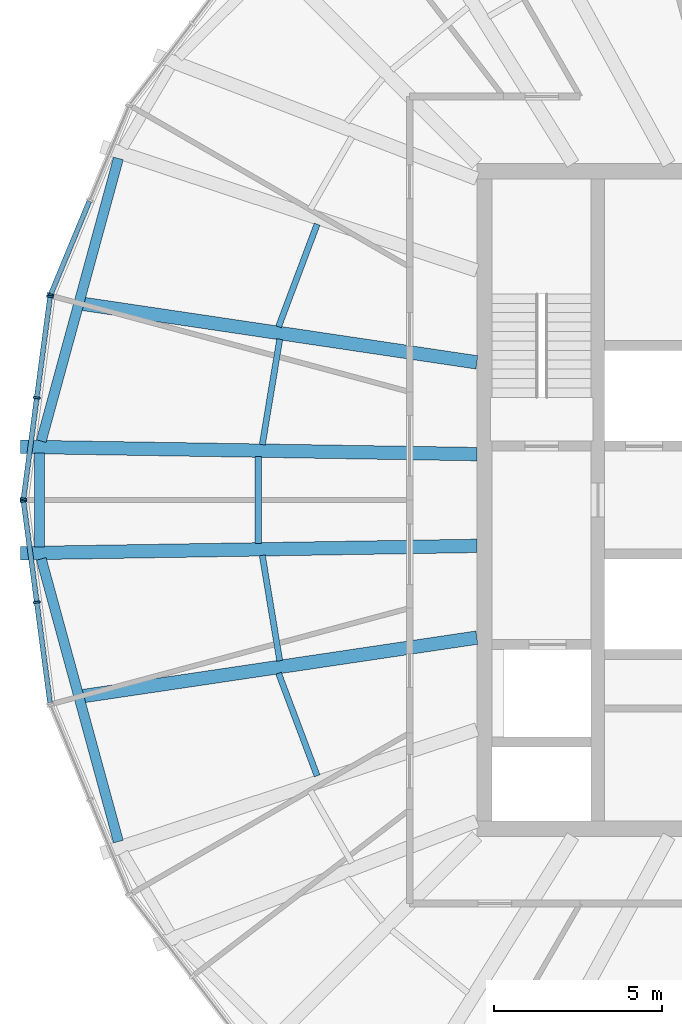
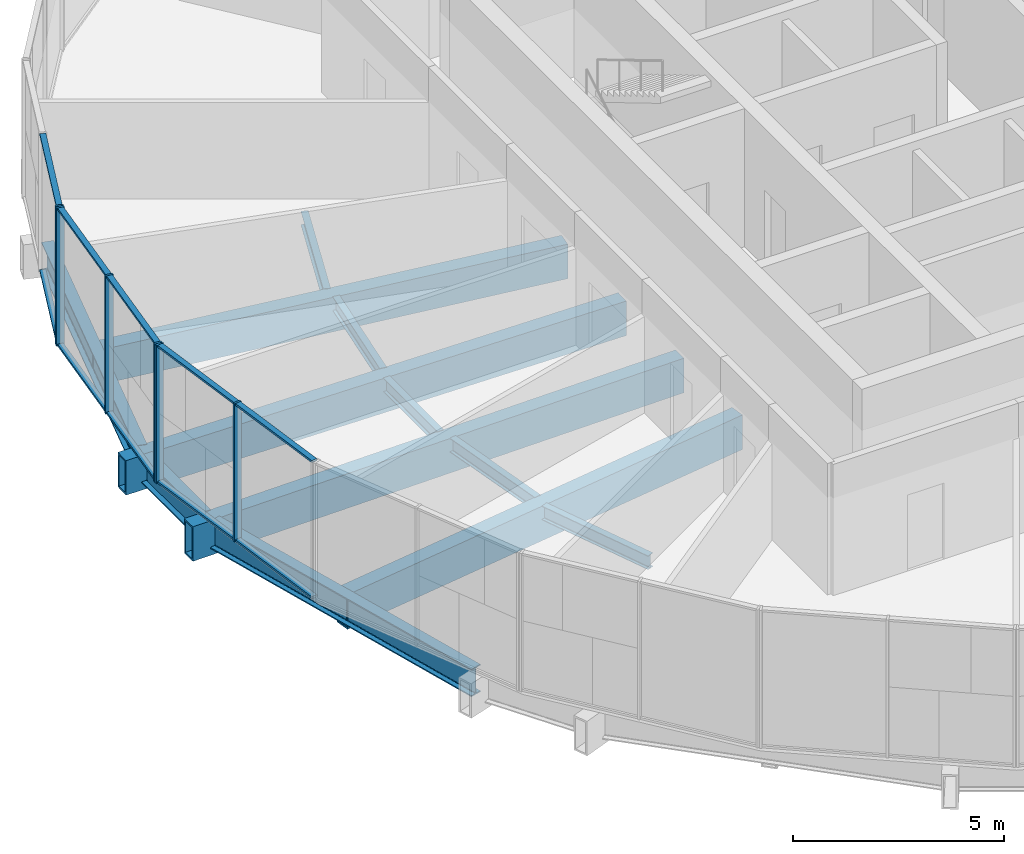
# One storey, part 3 of 13: 16 members, 12 beams, 3 elements without a shape of their own.
"""IFC4 building model written with IfcOpenShell, lengths in metres."""

from ifc_helpers import new_model, si_unit, direction, frame, origin, origin_2d, place, context, subcontext, project, spatial, rectangle, hollow_rectangle, i_section, extrude, material, material_profile, profile_set, type_object, element, aggregate, save


model = new_model("IFC4")

# Units and contexts
model_context = context("Model", 3, precision=1e-05, world=origin(), true_north=direction((0.0, 1.0)))
body_context = subcontext(model_context, "Body", "Model", "MODEL_VIEW")
ifc_project = project(units=[si_unit("LENGTHUNIT", "METRE"), si_unit("AREAUNIT", "SQUARE_METRE"), si_unit("VOLUMEUNIT", "CUBIC_METRE"), si_unit("PLANEANGLEUNIT", "RADIAN"), si_unit("MASSUNIT", "GRAM", prefix="KILO")], contexts=[model_context])

# Site, building, storey
site_placement = place(None, origin())
site = spatial("IfcSite", under=ifc_project, at=site_placement, CompositionType="ELEMENT")
building_placement = place(site_placement, origin())
building = spatial("IfcBuilding", under=site, at=building_placement, Name="Golbaran Civic Tower", CompositionType="ELEMENT")
storey_placement = place(building_placement, frame((0.0, 0.0, 211.0)))
storey = spatial("IfcBuildingStorey", under=building, at=storey_placement, Name="L51", CompositionType="ELEMENT", Elevation=211.0)

# Beams
ifc_material_1 = material(Name="Steel S355", Category="steel")
ifc_material_profile_1 = material_profile(ifc_material_1, i_section(OverallWidth=0.300048828125, OverallDepth=0.800048828125, WebThickness=0.017578125, FlangeThickness=0.032958984375, FilletRadius=0.030029296875, at=origin_2d()), Name="HEB 800")
ifc_profile_set_1 = profile_set([ifc_material_profile_1], Name="Steel S355")
beam_type_1 = type_object("IfcBeamType", Name="EDGE BEAM HEB 800", PredefinedType="BEAM", material=ifc_profile_set_1)
beam_1_placement = place(storey_placement, frame((-20.660888671875, 10.156494140625, -0.60009765625), z_axis=(-0.263269153865, -0.964722422577, 0.0), x_axis=(0.964722422577, -0.263269153865, 0.0)))
element("IfcBeam", 1, at=beam_1_placement, inside=storey, type_object=beam_type_1, Name="Edge beam 153.77 L51", PredefinedType="BEAM", context=body_context, shape_type="SweptSolid", body=[
    extrude(i_section(OverallWidth=0.300048828125, OverallDepth=0.800048828125, WebThickness=0.017578125, FlangeThickness=0.032958984375, FilletRadius=0.030029296875, at=origin_2d()), origin(), (0.0, 0.0, 1.0), 8.71240234375),
])
beam_2_placement = place(storey_placement, frame((-23.00341796875, 1.392333984375, -0.60009765625), z_axis=(0.0, -1.0, 0.0), x_axis=(1.0, 0.0, 0.0)))
element("IfcBeam", 2, at=beam_2_placement, inside=storey, type_object=beam_type_1, Name="Edge beam 176.23 L51", PredefinedType="BEAM", context=body_context, shape_type="SweptSolid", body=[
    extrude(i_section(OverallWidth=0.300048828125, OverallDepth=0.800048828125, WebThickness=0.017578125, FlangeThickness=0.032958984375, FilletRadius=0.030029296875, at=origin_2d()), origin(), (0.0, 0.0, 1.0), 2.78466796875),
])
beam_3_placement = place(storey_placement, frame((-22.95458984375, -1.75146484375, -0.60009765625), z_axis=(0.263269153865, -0.964722422577, 0.0), x_axis=(0.964722422577, 0.263269153865, 0.0)))
element("IfcBeam", 3, at=beam_3_placement, inside=storey, type_object=beam_type_1, Name="Edge beam 183.77 L51", PredefinedType="BEAM", context=body_context, shape_type="SweptSolid", body=[
    extrude(i_section(OverallWidth=0.300048828125, OverallDepth=0.800048828125, WebThickness=0.017578125, FlangeThickness=0.032958984375, FilletRadius=0.030029296875, at=origin_2d()), origin(), (0.0, 0.0, 1.0), 8.71240234375),
])
ifc_material_profile_2 = material_profile(ifc_material_1, i_section(OverallWidth=0.179931640625, OverallDepth=0.39990234375, WebThickness=0.008544921875, FlangeThickness=0.013427734375, FilletRadius=0.02099609375, at=origin_2d()), Name="IPE 400")
ifc_profile_set_2 = profile_set([ifc_material_profile_2], Name="Steel S355")
beam_type_2 = type_object("IfcBeamType", Name="FLOOR INFILL BEAM IPE 400", PredefinedType="BEAM", material=ifc_profile_set_2)
beam_4_placement = place(storey_placement, frame((-14.7509765625, 8.20263671875, -0.39990234375), z_axis=(-0.352099806837, -0.935962459731, 0.0), x_axis=(0.935962459731, -0.352099806837, 0.0)))
element("IfcBeam", 4, at=beam_4_placement, inside=storey, type_object=beam_type_2, Name="Infill beam 159.39 L51", PredefinedType="BEAM", context=body_context, shape_type="SweptSolid", body=[
    extrude(i_section(OverallWidth=0.179931640625, OverallDepth=0.39990234375, WebThickness=0.008544921875, FlangeThickness=0.013427734375, FilletRadius=0.02099609375, at=origin_2d()), origin(), (0.0, 0.0, 1.0), 3.26025390625),
])
beam_5_placement = place(storey_placement, frame((-15.863037109375, 4.78173828125, -0.39990234375), z_axis=(-0.16310317286, -0.986609018306, 0.0), x_axis=(0.986609018306, -0.16310317286, 0.0)))
element("IfcBeam", 5, at=beam_5_placement, inside=storey, type_object=beam_type_2, Name="Infill beam 170.61 L51", PredefinedType="BEAM", context=body_context, shape_type="SweptSolid", body=[
    extrude(i_section(OverallWidth=0.179931640625, OverallDepth=0.39990234375, WebThickness=0.008544921875, FlangeThickness=0.013427734375, FilletRadius=0.02099609375, at=origin_2d()), origin(), (0.0, 0.0, 1.0), 3.177734375),
])
beam_6_placement = place(storey_placement, frame((-16.501708984375, 1.288330078125, -0.39990234375), z_axis=(0.0, -1.0, 0.0), x_axis=(1.0, 0.0, 0.0)))
element("IfcBeam", 6, at=beam_6_placement, inside=storey, type_object=beam_type_2, Name="Infill beam 180.00 L51", PredefinedType="BEAM", context=body_context, shape_type="SweptSolid", body=[
    extrude(i_section(OverallWidth=0.179931640625, OverallDepth=0.39990234375, WebThickness=0.008544921875, FlangeThickness=0.013427734375, FilletRadius=0.02099609375, at=origin_2d()), origin(), (0.0, 0.0, 1.0), 2.57666015625),
])
beam_7_placement = place(storey_placement, frame((-16.38134765625, -1.646484375, -0.39990234375), z_axis=(0.16310317286, -0.986609018306, 0.0), x_axis=(0.986609018306, 0.16310317286, 0.0)))
element("IfcBeam", 7, at=beam_7_placement, inside=storey, type_object=beam_type_2, Name="Infill beam 189.39 L51", PredefinedType="BEAM", context=body_context, shape_type="SweptSolid", body=[
    extrude(i_section(OverallWidth=0.179931640625, OverallDepth=0.39990234375, WebThickness=0.008544921875, FlangeThickness=0.013427734375, FilletRadius=0.02099609375, at=origin_2d()), origin(), (0.0, 0.0, 1.0), 3.177734375),
])
beam_8_placement = place(storey_placement, frame((-15.89892578125, -5.151123046875, -0.39990234375), z_axis=(0.352099806837, -0.935962459731, 0.0), x_axis=(0.935962459731, 0.352099806837, 0.0)))
element("IfcBeam", 8, at=beam_8_placement, inside=storey, type_object=beam_type_2, Name="Infill beam 200.61 L51", PredefinedType="BEAM", context=body_context, shape_type="SweptSolid", body=[
    extrude(i_section(OverallWidth=0.179931640625, OverallDepth=0.39990234375, WebThickness=0.008544921875, FlangeThickness=0.013427734375, FilletRadius=0.02099609375, at=origin_2d()), origin(), (0.0, 0.0, 1.0), 3.26025390625),
])

# Curtain wall, member
ifc_material_2 = material(Name="Aluminium and glass", Category="aluminium")
curtain_wall_type = type_object("IfcCurtainWallType", Name="INNER SKIN CURTAIN WALL EXECUTIVE", PredefinedType="NOTDEFINED", material=ifc_material_2)
curtain_wall_1_placement = place(storey_placement, origin())
curtain_wall_1 = element("IfcCurtainWall", 9, at=curtain_wall_1_placement, inside=storey, type_object=curtain_wall_type, Name="Inner skin L51 facet 11 CW2", ObjectType="INNER SKIN", PredefinedType="USERDEFINED")
ifc_material_3 = material(Name="Aluminium", Category="aluminium")
ifc_material_profile_3 = material_profile(ifc_material_3, rectangle(XDim=0.199951171875, YDim=0.06005859375, at=origin_2d()), Name="INNER SKIN CURTAIN WALL EXECUTIVE MULLION")
ifc_profile_set_3 = profile_set([ifc_material_profile_3], Name="Aluminium")
member_type_1 = type_object("IfcMemberType", Name="INNER SKIN CURTAIN WALL EXECUTIVE MULLION", PredefinedType="MULLION", material=ifc_profile_set_3)
member_1_placement = place(storey_placement, frame((-22.67626953125, 6.10693359375, 0.0), z_axis=(0.0, 0.0, 1.0), x_axis=(0.923879532505, -0.382683432381, 0.0)))
member_1 = element("IfcMember", 10, at=member_1_placement, type_object=member_type_1, Name="CW2 mullion 3", PredefinedType="MULLION", context=body_context, shape_type="SweptSolid", body=[
    extrude(rectangle(XDim=0.199951171875, YDim=0.06005859375, at=origin_2d()), origin(), (0.0, 0.0, 1.0), 4.0),
])

# Curtain wall, members
curtain_wall_2_placement = place(storey_placement, origin())
curtain_wall_2 = element("IfcCurtainWall", 11, at=curtain_wall_2_placement, inside=storey, type_object=curtain_wall_type, Name="Inner skin L51 facet 12 CW2", ObjectType="INNER SKIN", PredefinedType="USERDEFINED")
member_2_placement = place(storey_placement, frame((-22.691650390625, 6.04931640625, 0.0), z_axis=(0.0, 0.0, 1.0), x_axis=(0.991444861376, -0.130526192203, 0.0)))
member_2 = element("IfcMember", 12, at=member_2_placement, type_object=member_type_1, Name="CW2 mullion 1", PredefinedType="MULLION", context=body_context, shape_type="SweptSolid", body=[
    extrude(rectangle(XDim=0.199951171875, YDim=0.06005859375, at=origin_2d()), origin(), (0.0, 0.0, 1.0), 4.0),
])
member_3_placement = place(storey_placement, frame((-23.087890625, 3.03955078125, 0.0), z_axis=(0.0, 0.0, 1.0), x_axis=(0.991444861376, -0.130526192203, 0.0)))
member_3 = element("IfcMember", 13, at=member_3_placement, type_object=member_type_1, Name="CW2 mullion 2", PredefinedType="MULLION", context=body_context, shape_type="SweptSolid", body=[
    extrude(rectangle(XDim=0.199951171875, YDim=0.06005859375, at=origin_2d()), origin(), (0.0, 0.0, 1.0), 4.0),
])
member_4_placement = place(storey_placement, frame((-23.484130859375, 0.02978515625, 0.0), z_axis=(0.0, 0.0, 1.0), x_axis=(0.991444861376, -0.130526192203, 0.0)))
member_4 = element("IfcMember", 14, at=member_4_placement, type_object=member_type_1, Name="CW2 mullion 3", PredefinedType="MULLION", context=body_context, shape_type="SweptSolid", body=[
    extrude(rectangle(XDim=0.199951171875, YDim=0.06005859375, at=origin_2d()), origin(), (0.0, 0.0, 1.0), 4.0),
])

curtain_wall_3_placement = place(storey_placement, origin())
curtain_wall_3 = element("IfcCurtainWall", 15, at=curtain_wall_3_placement, inside=storey, type_object=curtain_wall_type, Name="Inner skin L51 facet 13 CW2", ObjectType="INNER SKIN", PredefinedType="USERDEFINED")
member_5_placement = place(storey_placement, frame((-23.484130859375, -0.02978515625, 0.0), z_axis=(0.0, 0.0, 1.0), x_axis=(0.991444861376, 0.130526192203, 0.0)))
member_5 = element("IfcMember", 16, at=member_5_placement, type_object=member_type_1, Name="CW2 mullion 1", PredefinedType="MULLION", context=body_context, shape_type="SweptSolid", body=[
    extrude(rectangle(XDim=0.199951171875, YDim=0.06005859375, at=origin_2d()), origin(), (0.0, 0.0, 1.0), 4.0),
])
member_6_placement = place(storey_placement, frame((-23.087890625, -3.03955078125, 0.0), z_axis=(0.0, 0.0, 1.0), x_axis=(0.991444861376, 0.130526192203, 0.0)))
member_6 = element("IfcMember", 17, at=member_6_placement, type_object=member_type_1, Name="CW2 mullion 2", PredefinedType="MULLION", context=body_context, shape_type="SweptSolid", body=[
    extrude(rectangle(XDim=0.199951171875, YDim=0.06005859375, at=origin_2d()), origin(), (0.0, 0.0, 1.0), 4.0),
])

# Member
ifc_material_profile_4 = material_profile(ifc_material_3, rectangle(XDim=0.14990234375, YDim=0.06005859375, at=origin_2d()), Name="INNER SKIN CURTAIN WALL EXECUTIVE TRANSOM")
ifc_profile_set_4 = profile_set([ifc_material_profile_4], Name="Aluminium")
member_type_2 = type_object("IfcMemberType", Name="INNER SKIN CURTAIN WALL EXECUTIVE TRANSOM", PredefinedType="USERDEFINED", material=ifc_profile_set_4)
member_7_placement = place(storey_placement, frame((-21.52587890625, 8.8837890625, 0.030029296875), z_axis=(-0.382721321507, -0.923863837405, 0.0), x_axis=(0.923863837405, -0.382721321507, 0.0)))
member_7 = element("IfcMember", 18, at=member_7_placement, type_object=member_type_2, Name="CW2 transom 2.1", ObjectType="TRANSOM", PredefinedType="USERDEFINED", context=body_context, shape_type="SweptSolid", body=[
    extrude(rectangle(XDim=0.14990234375, YDim=0.06005859375, at=origin_2d()), origin(), (0.0, 0.0, 1.0), 2.975830078125),
])

member_8_placement = place(storey_placement, frame((-21.52587890625, 8.8837890625, 3.969970703125), z_axis=(-0.382721321507, -0.923863837405, 0.0), x_axis=(0.923863837405, -0.382721321507, 0.0)))
member_8 = element("IfcMember", 19, at=member_8_placement, type_object=member_type_2, Name="CW2 transom 2.2", ObjectType="TRANSOM", PredefinedType="USERDEFINED", context=body_context, shape_type="SweptSolid", body=[
    extrude(rectangle(XDim=0.14990234375, YDim=0.06005859375, at=origin_2d()), origin(), (0.0, 0.0, 1.0), 2.975830078125),
])

aggregate(curtain_wall_1, [member_1, member_7, member_8])

member_9_placement = place(storey_placement, frame((-22.695556640625, 6.019775390625, 0.030029296875), z_axis=(-0.130524544442, -0.991445078306, 0.0), x_axis=(0.991445078306, -0.130524544442, 0.0)))
member_9 = element("IfcMember", 20, at=member_9_placement, type_object=member_type_2, Name="CW2 transom 1.1", ObjectType="TRANSOM", PredefinedType="USERDEFINED", context=body_context, shape_type="SweptSolid", body=[
    extrude(rectangle(XDim=0.14990234375, YDim=0.06005859375, at=origin_2d()), origin(), (0.0, 0.0, 1.0), 2.975830078125),
])

member_10_placement = place(storey_placement, frame((-22.695556640625, 6.019775390625, 3.969970703125), z_axis=(-0.130524544442, -0.991445078306, 0.0), x_axis=(0.991445078306, -0.130524544442, 0.0)))
member_10 = element("IfcMember", 21, at=member_10_placement, type_object=member_type_2, Name="CW2 transom 1.2", ObjectType="TRANSOM", PredefinedType="USERDEFINED", context=body_context, shape_type="SweptSolid", body=[
    extrude(rectangle(XDim=0.14990234375, YDim=0.06005859375, at=origin_2d()), origin(), (0.0, 0.0, 1.0), 2.975830078125),
])

member_11_placement = place(storey_placement, frame((-23.091796875, 3.009765625, 0.030029296875), z_axis=(-0.130535161835, -0.99144368046, 0.0), x_axis=(0.99144368046, -0.130535161835, 0.0)))
member_11 = element("IfcMember", 22, at=member_11_placement, type_object=member_type_2, Name="CW2 transom 2.1", ObjectType="TRANSOM", PredefinedType="USERDEFINED", context=body_context, shape_type="SweptSolid", body=[
    extrude(rectangle(XDim=0.14990234375, YDim=0.06005859375, at=origin_2d()), origin(), (0.0, 0.0, 1.0), 2.9755859375),
])

member_12_placement = place(storey_placement, frame((-23.091796875, 3.009765625, 3.969970703125), z_axis=(-0.130535161835, -0.99144368046, 0.0), x_axis=(0.99144368046, -0.130535161835, 0.0)))
member_12 = element("IfcMember", 23, at=member_12_placement, type_object=member_type_2, Name="CW2 transom 2.2", ObjectType="TRANSOM", PredefinedType="USERDEFINED", context=body_context, shape_type="SweptSolid", body=[
    extrude(rectangle(XDim=0.14990234375, YDim=0.06005859375, at=origin_2d()), origin(), (0.0, 0.0, 1.0), 2.9755859375),
])

aggregate(curtain_wall_2, [member_2, member_3, member_4, member_9, member_10, member_11, member_12])

member_13_placement = place(storey_placement, frame((-23.480224609375, -0.0595703125, 0.030029296875), z_axis=(0.130535161835, -0.99144368046, 0.0), x_axis=(0.99144368046, 0.130535161835, 0.0)))
member_13 = element("IfcMember", 24, at=member_13_placement, type_object=member_type_2, Name="CW2 transom 1.1", ObjectType="TRANSOM", PredefinedType="USERDEFINED", context=body_context, shape_type="SweptSolid", body=[
    extrude(rectangle(XDim=0.14990234375, YDim=0.06005859375, at=origin_2d()), origin(), (0.0, 0.0, 1.0), 2.9755859375),
])

member_14_placement = place(storey_placement, frame((-23.480224609375, -0.0595703125, 3.969970703125), z_axis=(0.130535161835, -0.99144368046, 0.0), x_axis=(0.99144368046, 0.130535161835, 0.0)))
member_14 = element("IfcMember", 25, at=member_14_placement, type_object=member_type_2, Name="CW2 transom 1.2", ObjectType="TRANSOM", PredefinedType="USERDEFINED", context=body_context, shape_type="SweptSolid", body=[
    extrude(rectangle(XDim=0.14990234375, YDim=0.06005859375, at=origin_2d()), origin(), (0.0, 0.0, 1.0), 2.9755859375),
])

member_15_placement = place(storey_placement, frame((-23.083984375, -3.0693359375, 0.030029296875), z_axis=(0.130524544442, -0.991445078306, 0.0), x_axis=(0.991445078306, 0.130524544442, 0.0)))
member_15 = element("IfcMember", 26, at=member_15_placement, type_object=member_type_2, Name="CW2 transom 2.1", ObjectType="TRANSOM", PredefinedType="USERDEFINED", context=body_context, shape_type="SweptSolid", body=[
    extrude(rectangle(XDim=0.14990234375, YDim=0.06005859375, at=origin_2d()), origin(), (0.0, 0.0, 1.0), 2.975830078125),
])

member_16_placement = place(storey_placement, frame((-23.083984375, -3.0693359375, 3.969970703125), z_axis=(0.130524544442, -0.991445078306, 0.0), x_axis=(0.991445078306, 0.130524544442, 0.0)))
member_16 = element("IfcMember", 27, at=member_16_placement, type_object=member_type_2, Name="CW2 transom 2.2", ObjectType="TRANSOM", PredefinedType="USERDEFINED", context=body_context, shape_type="SweptSolid", body=[
    extrude(rectangle(XDim=0.14990234375, YDim=0.06005859375, at=origin_2d()), origin(), (0.0, 0.0, 1.0), 2.975830078125),
])

aggregate(curtain_wall_3, [member_5, member_6, member_13, member_14, member_15, member_16])

# Beams
ifc_material_profile_5 = material_profile(ifc_material_1, hollow_rectangle(XDim=0.39990234375, YDim=1.0, WallThickness=0.050048828125, at=origin_2d()), Name="BOX 1000x400x50")
ifc_profile_set_5 = profile_set([ifc_material_profile_5], Name="Steel S355")
beam_type_3 = type_object("IfcBeamType", Name="RADIAL FLOOR BEAM BOX 1000x400x50", PredefinedType="BEAM", material=ifc_profile_set_5)
for number, where, z_axis, x_axis, name in (
    (28, (-10.0, 1.3642578125, -0.7099609375), (-0.999871941722, 0.016003129608, 0.0), (-0.016003129608, -0.999871941722, 0.0), "Radial beam 176.23 L51"),
    (29, (-10.0, -1.3642578125, -0.7099609375), (-0.999871941722, -0.016003129608, 0.0), (0.016003129608, -0.999871941722, 0.0), "Radial beam 183.77 L51"),
):
    element("IfcBeam", number, at=place(storey_placement, frame(where, z_axis=z_axis, x_axis=x_axis)), inside=storey, type_object=beam_type_3, Name=name, PredefinedType="BEAM", context=body_context, shape_type="SweptSolid", body=[
        extrude(hollow_rectangle(XDim=0.39990234375, YDim=1.0, WallThickness=0.050048828125, at=origin_2d()), origin(), (0.0, 0.0, 1.0), 13.57763671875),
    ])
ifc_material_profile_6 = material_profile(ifc_material_1, hollow_rectangle(XDim=0.39990234375, YDim=1.0, WallThickness=0.0400390625, at=origin_2d()), Name="BOX 1000x400x40")
ifc_profile_set_6 = profile_set([ifc_material_profile_6], Name="Steel S355")
beam_type_4 = type_object("IfcBeamType", Name="SECONDARY FLOOR BEAM BOX 1000x400x40", PredefinedType="BEAM", material=ifc_profile_set_6)
for number, where, z_axis, x_axis, name in (
    (30, (-10.0, 4.0927734375, -0.7099609375), (-0.989147410301, 0.146926514606, 0.0), (-0.146926514606, -0.989147410301, 0.0), "Secondary beam 165.00 L51"),
    (31, (-10.0, -4.0927734375, -0.7099609375), (-0.989147410301, -0.146926514606, 0.0), (0.146926514606, -0.989147410301, 0.0), "Secondary beam 195.00 L51"),
):
    element("IfcBeam", number, at=place(storey_placement, frame(where, z_axis=z_axis, x_axis=x_axis)), inside=storey, type_object=beam_type_4, Name=name, PredefinedType="BEAM", context=body_context, shape_type="SweptSolid", body=[
        extrude(hollow_rectangle(XDim=0.39990234375, YDim=1.0, WallThickness=0.0400390625, at=origin_2d()), origin(), (0.0, 0.0, 1.0), 11.965576171875),
    ])

save(model, "model.ifc")
